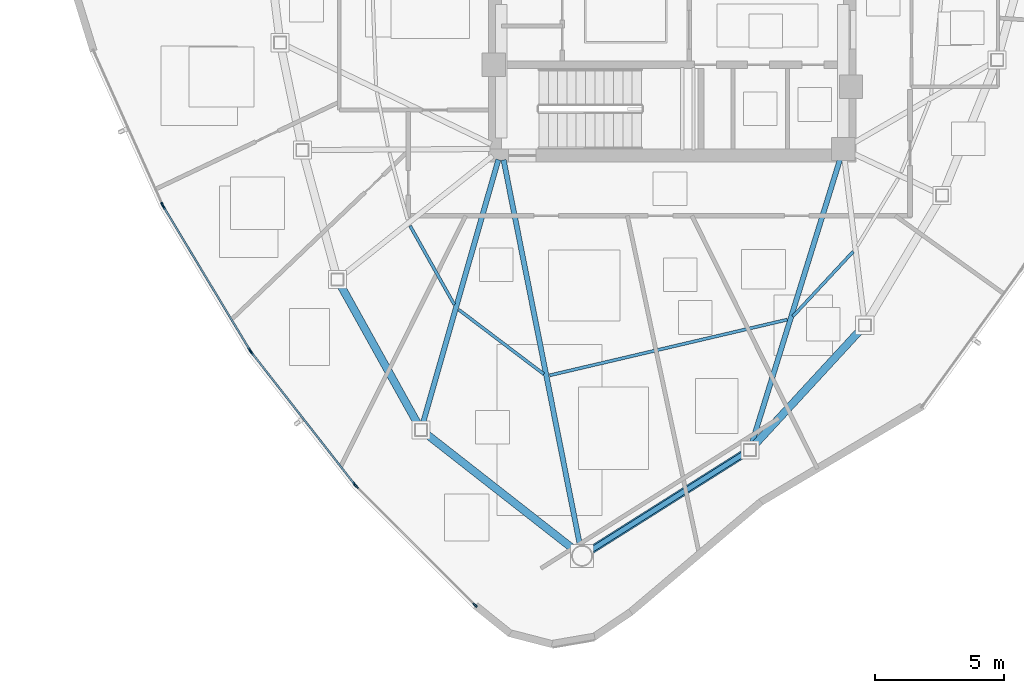
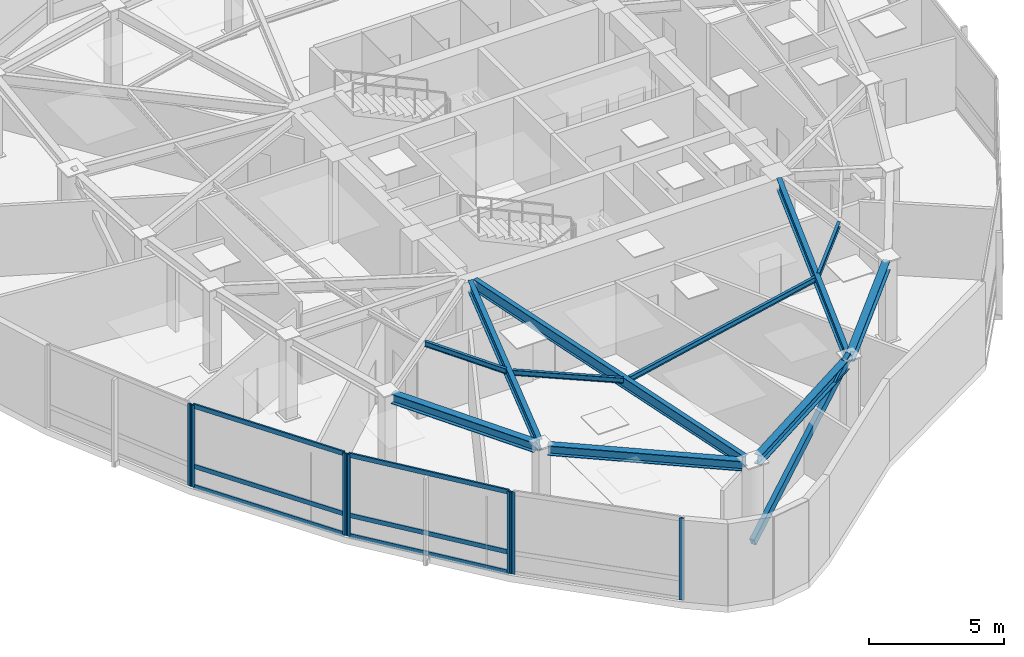
# One storey, part 2 of 12: 14 members, 11 beams, 4 elements without a shape of their own.
"""IFC4 building model written with IfcOpenShell, lengths in metres."""

from ifc_helpers import new_model, si_unit, direction, frame, origin, origin_2d, place, context, subcontext, project, spatial, hollow_rectangle, i_section, extrude, source, transform, mapped, material, layer, layer_set, material_profile, profile_set, type_object, type_shapes, element, aggregate, save


model = new_model("IFC4")

# Units and contexts
model_context = context("Model", 3, precision=1e-05, world=origin(), true_north=direction((0.0, 1.0)))
body_context = subcontext(model_context, "Body", "Model", "MODEL_VIEW")
ifc_project = project(units=[si_unit("LENGTHUNIT", "METRE"), si_unit("AREAUNIT", "SQUARE_METRE"), si_unit("VOLUMEUNIT", "CUBIC_METRE"), si_unit("PLANEANGLEUNIT", "RADIAN"), si_unit("MASSUNIT", "GRAM", prefix="KILO")], contexts=[model_context])

# Site, building, storey
site_placement = place(None, origin())
site = spatial("IfcSite", under=ifc_project, at=site_placement, CompositionType="ELEMENT")
building_placement = place(site_placement, origin())
building = spatial("IfcBuilding", under=site, at=building_placement, Name="Tavelor Broadcast Tower", CompositionType="ELEMENT")
storey_placement = place(building_placement, frame((0.0, 0.0, 285.5)))
storey = spatial("IfcBuildingStorey", under=building, at=storey_placement, Name="L68", CompositionType="ELEMENT", Elevation=285.5)

# Beams
ifc_material_1 = material(Name="Steel S355", Category="steel")
ifc_material_profile_1 = material_profile(ifc_material_1, i_section(OverallWidth=0.1201171875, OverallDepth=0.239990234375, WebThickness=0.006103515625, FlangeThickness=0.009765625, at=origin_2d()), Name="IPE 240")
ifc_profile_set_1 = profile_set([ifc_material_profile_1], Name="Steel S355")
beam_type_1 = type_object("IfcBeamType", Name="Composite Floor Joist T7 IPE 240", PredefinedType="JOIST", material=ifc_profile_set_1)
beam_1_placement = place(storey_placement, frame((39.873779296875, 35.830078125, 3.580078125), z_axis=(0.489567395479, -0.871965461061, 0.0), x_axis=(0.871965461061, 0.489567395479, 0.0)))
element("IfcBeam", 1, at=beam_1_placement, inside=storey, type_object=beam_type_1, Name="L68 Secondary Composite Floor Joist 05", PredefinedType="JOIST", context=body_context, shape_type="SweptSolid", body=[
    extrude(i_section(OverallWidth=0.1201171875, OverallDepth=0.239990234375, WebThickness=0.006103515625, FlangeThickness=0.009765625, at=origin_2d()), origin(), (0.0, 0.0, 1.0), 3.4921875),
])
beam_2_placement = place(storey_placement, frame((41.74951171875, 32.594482421875, 3.580078125), z_axis=(0.797312398186, -0.603566847747, 0.0), x_axis=(0.603566847747, 0.797312398186, 0.0)))
element("IfcBeam", 2, at=beam_2_placement, inside=storey, type_object=beam_type_1, Name="L68 Secondary Composite Floor Joist 06", PredefinedType="JOIST", context=body_context, shape_type="SweptSolid", body=[
    extrude(i_section(OverallWidth=0.1201171875, OverallDepth=0.239990234375, WebThickness=0.006103515625, FlangeThickness=0.009765625, at=origin_2d()), origin(), (0.0, 0.0, 1.0), 4.121826171875),
])
beam_3_placement = place(storey_placement, frame((45.264404296875, 30.058349609375, 3.580078125), z_axis=(0.973614241708, 0.228200149746, 0.0), x_axis=(-0.228200149746, 0.973614241708, 0.0)))
element("IfcBeam", 3, at=beam_3_placement, inside=storey, type_object=beam_type_1, Name="L68 Secondary Composite Floor Joist 07", PredefinedType="JOIST", context=body_context, shape_type="SweptSolid", body=[
    extrude(i_section(OverallWidth=0.1201171875, OverallDepth=0.239990234375, WebThickness=0.006103515625, FlangeThickness=0.009765625, at=origin_2d()), origin(), (0.0, 0.0, 1.0), 9.422119140625),
])
beam_4_placement = place(storey_placement, frame((54.651611328125, 32.332275390625, 3.580078125), z_axis=(0.681448823195, 0.731865767314, 0.0), x_axis=(-0.731865767314, 0.681448823195, 0.0)))
element("IfcBeam", 4, at=beam_4_placement, inside=storey, type_object=beam_type_1, Name="L68 Secondary Composite Floor Joist 08", PredefinedType="JOIST", context=body_context, shape_type="SweptSolid", body=[
    extrude(i_section(OverallWidth=0.1201171875, OverallDepth=0.239990234375, WebThickness=0.006103515625, FlangeThickness=0.009765625, at=origin_2d()), origin(), (0.0, 0.0, 1.0), 3.423583984375),
])
ifc_material_profile_2 = material_profile(ifc_material_1, i_section(OverallWidth=0.300048828125, OverallDepth=0.43994140625, WebThickness=0.011474609375, FlangeThickness=0.02099609375, at=origin_2d()), Name="HEA 450")
ifc_profile_set_2 = profile_set([ifc_material_profile_2], Name="Steel S355")
beam_type_2 = type_object("IfcBeamType", Name="Perimeter Spandrel Beam T7 HEA 450", PredefinedType="SPANDREL", material=ifc_profile_set_2)
beam_5_placement = place(storey_placement, frame((37.184814453125, 33.5498046875, 3.47998046875), z_axis=(0.485969141936, -0.873975968254, 0.0), x_axis=(0.873975968254, 0.485969141936, 0.0)))
element("IfcBeam", 5, at=beam_5_placement, inside=storey, type_object=beam_type_2, Name="L68 Framed-Tube Ring Spandrel 05", PredefinedType="SPANDREL", context=body_context, shape_type="SweptSolid", body=[
    extrude(i_section(OverallWidth=0.300048828125, OverallDepth=0.43994140625, WebThickness=0.011474609375, FlangeThickness=0.02099609375, at=origin_2d()), origin(), (0.0, 0.0, 1.0), 6.1630859375),
])
beam_6_placement = place(storey_placement, frame((40.485595703125, 27.8056640625, 3.47998046875), z_axis=(0.787521309141, -0.616287422919, 0.0), x_axis=(0.616287422919, 0.787521309141, 0.0)))
element("IfcBeam", 6, at=beam_6_placement, inside=storey, type_object=beam_type_2, Name="L68 Framed-Tube Ring Spandrel 06", PredefinedType="SPANDREL", context=body_context, shape_type="SweptSolid", body=[
    extrude(i_section(OverallWidth=0.300048828125, OverallDepth=0.43994140625, WebThickness=0.011474609375, FlangeThickness=0.02099609375, at=origin_2d()), origin(), (0.0, 0.0, 1.0), 7.265625),
])
beam_7_placement = place(storey_placement, frame((46.8447265625, 23.295654296875, 3.47998046875), z_axis=(0.845617600782, 0.53378916554, 0.0), x_axis=(-0.53378916554, 0.845617600782, 0.0)))
element("IfcBeam", 7, at=beam_7_placement, inside=storey, type_object=beam_type_2, Name="L68 Framed-Tube Ring Spandrel 07", PredefinedType="SPANDREL", context=body_context, shape_type="SweptSolid", body=[
    extrude(i_section(OverallWidth=0.300048828125, OverallDepth=0.43994140625, WebThickness=0.011474609375, FlangeThickness=0.02099609375, at=origin_2d()), origin(), (0.0, 0.0, 1.0), 7.03076171875),
])
beam_8_placement = place(storey_placement, frame((53.15576171875, 27.353271484375, 3.47998046875), z_axis=(0.677736891139, 0.735304499095, 0.0), x_axis=(-0.735304499095, 0.677736891139, 0.0)))
element("IfcBeam", 8, at=beam_8_placement, inside=storey, type_object=beam_type_2, Name="L68 Framed-Tube Ring Spandrel 08", PredefinedType="SPANDREL", context=body_context, shape_type="SweptSolid", body=[
    extrude(i_section(OverallWidth=0.300048828125, OverallDepth=0.43994140625, WebThickness=0.011474609375, FlangeThickness=0.02099609375, at=origin_2d()), origin(), (0.0, 0.0, 1.0), 6.06884765625),
])

# Member
ifc_material_profile_3 = material_profile(ifc_material_1, hollow_rectangle(XDim=0.199951171875, YDim=0.35009765625, WallThickness=0.01611328125, at=origin_2d()), Name="RHS 350x200x16")
ifc_profile_set_3 = profile_set([ifc_material_profile_3], Name="Steel S355")
member_type_1 = type_object("IfcMemberType", Name="Perimeter Tube Brace T7 RHS 350x200x16", PredefinedType="BRACE", material=ifc_profile_set_3)
member_1_placement = place(storey_placement, frame((46.5146484375, 23.08740234375, 0.0), z_axis=(0.761462376336, 0.480666847696, 0.434895885184), x_axis=(-0.533789146824, 0.845617612596, 0.0)))
element("IfcMember", 9, at=member_1_placement, inside=storey, type_object=member_type_1, Name="L68 Corner Tube Diagonal Brace 2", PredefinedType="BRACE", context=body_context, shape_type="SweptSolid", body=[
    extrude(hollow_rectangle(XDim=0.199951171875, YDim=0.35009765625, WallThickness=0.01611328125, at=origin_2d()), origin(), (0.0, 0.0, 1.0), 8.507568359375),
])

# Beams
ifc_material_profile_4 = material_profile(ifc_material_1, i_section(OverallWidth=0.199951171875, OverallDepth=0.5, WebThickness=0.01025390625, FlangeThickness=0.01611328125, at=origin_2d()), Name="IPE 500")
ifc_profile_set_4 = profile_set([ifc_material_profile_4], Name="Steel S355")
beam_type_3 = type_object("IfcBeamType", Name="Radial Floor Girder T7 IPE 500", PredefinedType="BEAM", material=ifc_profile_set_4)
beam_9_placement = place(storey_placement, frame((43.28125, 38.384765625, 3.449951171875), z_axis=(-0.275094925197, -0.961417069815, 0.0), x_axis=(0.961417069815, -0.275094925197, 0.0)))
element("IfcBeam", 10, at=beam_9_placement, inside=storey, type_object=beam_type_3, Name="L68 Radial Primary Floor Girder 06", PredefinedType="BEAM", context=body_context, shape_type="SweptSolid", body=[
    extrude(i_section(OverallWidth=0.199951171875, OverallDepth=0.5, WebThickness=0.01025390625, FlangeThickness=0.01611328125, at=origin_2d()), origin(), (0.0, 0.0, 1.0), 10.60986328125),
])
beam_10_placement = place(storey_placement, frame((43.48388671875, 38.376220703125, 3.449951171875), z_axis=(0.19444745334, -0.980912935938, 0.0), x_axis=(0.980912935938, 0.19444745334, 0.0)))
element("IfcBeam", 11, at=beam_10_placement, inside=storey, type_object=beam_type_3, Name="L68 Radial Primary Floor Girder 07", PredefinedType="BEAM", context=body_context, shape_type="SweptSolid", body=[
    extrude(i_section(OverallWidth=0.199951171875, OverallDepth=0.5, WebThickness=0.01025390625, FlangeThickness=0.01611328125, at=origin_2d()), origin(), (0.0, 0.0, 1.0), 15.196044921875),
])
beam_11_placement = place(storey_placement, frame((56.471923828125, 38.387451171875, 3.449951171875), z_axis=(-0.296373836186, -0.955072012585, 0.0), x_axis=(0.955072012585, -0.296373836186, 0.0)))
element("IfcBeam", 12, at=beam_11_placement, inside=storey, type_object=beam_type_3, Name="L68 Radial Primary Floor Girder 08", PredefinedType="BEAM", context=body_context, shape_type="SweptSolid", body=[
    extrude(i_section(OverallWidth=0.199951171875, OverallDepth=0.5, WebThickness=0.01025390625, FlangeThickness=0.01611328125, at=origin_2d()), origin(), (0.0, 0.0, 1.0), 11.498046875),
])

# Curtain wall, member
ifc_material_2 = material(Name="Architectural Anodized Aluminium", Category="aluminium")
ifc_layer = layer(ifc_material_2, 0.199951171875)
ifc_layer_set = layer_set([ifc_layer], Name="Architectural Anodized Aluminium")
curtain_wall_type = type_object("IfcCurtainWallType", Name="Tower High-Zone Triple-Glazed Curtain Wall CW04", PredefinedType="NOTDEFINED", material=ifc_layer_set)
curtain_wall_1_placement = place(storey_placement, origin())
curtain_wall_1 = element("IfcCurtainWall", 13, at=curtain_wall_1_placement, inside=storey, type_object=curtain_wall_type, Name="L68 Curtain Wall CW04 Run 745", PredefinedType="NOTDEFINED")
ifc_material_profile_5 = material_profile(ifc_material_2, hollow_rectangle(XDim=0.070068359375, YDim=0.199951171875, WallThickness=0.02197265625, at=origin_2d()), Name="RHS 70x200x22")
ifc_profile_set_5 = profile_set([ifc_material_profile_5], Name="Architectural Anodized Aluminium")
member_type_2 = type_object("IfcMemberType", Name="CW04 Extruded Aluminium Mullion 70x200", PredefinedType="MULLION", material=ifc_profile_set_5)
shared_shape_1 = source(origin(), body_context, "Body", "SweptSolid", [
    extrude(hollow_rectangle(XDim=0.070068359375, YDim=0.199951171875, WallThickness=0.02197265625, at=origin_2d()), origin(), (0.0, 0.0, 1.0), 3.699951171875),
])
type_shapes(member_type_2, [shared_shape_1])
member_2_placement = place(storey_placement, frame((30.31201171875, 36.645751953125, 0.0), z_axis=(0.0, 0.0, 1.0), x_axis=(0.912657036758, 0.40872623265, 0.0)))
member_2 = element("IfcMember", 14, at=member_2_placement, type_object=member_type_2, Name="CW04 mullion 2", PredefinedType="MULLION", context=body_context, shape_type="MappedRepresentation", body=[
    mapped(shared_shape_1, transform((0.0, 0.0, 0.0), scale=1.0)),
])
aggregate(curtain_wall_1, [member_2])

# Curtain wall, members
curtain_wall_2_placement = place(storey_placement, origin())
curtain_wall_2 = element("IfcCurtainWall", 15, at=curtain_wall_2_placement, inside=storey, type_object=curtain_wall_type, Name="L68 Curtain Wall CW04 Run 746", PredefinedType="NOTDEFINED")
member_3_placement = place(storey_placement, frame((30.358154296875, 36.55712890625, 0.0), z_axis=(0.0, 0.0, 1.0), x_axis=(0.8564826792, 0.516175764861, 0.0)))
member_3 = element("IfcMember", 16, at=member_3_placement, type_object=member_type_2, Name="CW04 mullion 1", PredefinedType="MULLION", context=body_context, shape_type="MappedRepresentation", body=[
    mapped(shared_shape_1, transform((0.0, 0.0, 0.0), scale=1.0)),
])
member_4_placement = place(storey_placement, frame((33.695068359375, 31.02001953125, 0.0), z_axis=(0.0, 0.0, 1.0), x_axis=(0.8564826792, 0.516175764861, 0.0)))
member_4 = element("IfcMember", 17, at=member_4_placement, type_object=member_type_2, Name="CW04 mullion 2", PredefinedType="MULLION", context=body_context, shape_type="MappedRepresentation", body=[
    mapped(shared_shape_1, transform((0.0, 0.0, 0.0), scale=1.0)),
])

curtain_wall_3_placement = place(storey_placement, origin())
curtain_wall_3 = element("IfcCurtainWall", 18, at=curtain_wall_3_placement, inside=storey, type_object=curtain_wall_type, Name="L68 Curtain Wall CW04 Run 747", PredefinedType="NOTDEFINED")
member_5_placement = place(storey_placement, frame((33.751708984375, 30.937744140625, 0.0), z_axis=(0.0, 0.0, 1.0), x_axis=(0.78773614973, 0.616012790784, 0.0)))
member_5 = element("IfcMember", 19, at=member_5_placement, type_object=member_type_2, Name="CW04 mullion 1", PredefinedType="MULLION", context=body_context, shape_type="MappedRepresentation", body=[
    mapped(shared_shape_1, transform((0.0, 0.0, 0.0), scale=1.0)),
])
member_6_placement = place(storey_placement, frame((37.734130859375, 25.844970703125, 0.0), z_axis=(0.0, 0.0, 1.0), x_axis=(0.78773614973, 0.616012790784, 0.0)))
member_6 = element("IfcMember", 20, at=member_6_placement, type_object=member_type_2, Name="CW04 mullion 2", PredefinedType="MULLION", context=body_context, shape_type="MappedRepresentation", body=[
    mapped(shared_shape_1, transform((0.0, 0.0, 0.0), scale=1.0)),
])

curtain_wall_4_placement = place(storey_placement, origin())
curtain_wall_4 = element("IfcCurtainWall", 21, at=curtain_wall_4_placement, inside=storey, type_object=curtain_wall_type, Name="L68 Curtain Wall CW04 Run 748", PredefinedType="NOTDEFINED")
member_7_placement = place(storey_placement, frame((37.80029296875, 25.770263671875, 0.0), z_axis=(0.0, 0.0, 1.0), x_axis=(0.707389124806, 0.706824324784, 0.0)))
member_7 = element("IfcMember", 22, at=member_7_placement, type_object=member_type_2, Name="CW04 mullion 1", PredefinedType="MULLION", context=body_context, shape_type="MappedRepresentation", body=[
    mapped(shared_shape_1, transform((0.0, 0.0, 0.0), scale=1.0)),
])
member_8_placement = place(storey_placement, frame((42.38134765625, 21.185546875, 0.0), z_axis=(0.0, 0.0, 1.0), x_axis=(0.707389124806, 0.706824324784, 0.0)))
member_8 = element("IfcMember", 23, at=member_8_placement, type_object=member_type_2, Name="CW04 mullion 2", PredefinedType="MULLION", context=body_context, shape_type="MappedRepresentation", body=[
    mapped(shared_shape_1, transform((0.0, 0.0, 0.0), scale=1.0)),
])
aggregate(curtain_wall_4, [member_7, member_8])

# Member
ifc_material_profile_6 = material_profile(ifc_material_2, hollow_rectangle(XDim=0.070068359375, YDim=0.199951171875, WallThickness=0.02197265625, at=origin_2d()), Name="RHS 70x200x22")
ifc_profile_set_6 = profile_set([ifc_material_profile_6], Name="Architectural Anodized Aluminium")
member_type_3 = type_object("IfcMemberType", Name="CW04 Extruded Aluminium Transom 70x200", PredefinedType="USERDEFINED", material=ifc_profile_set_6)
shared_shape_2 = source(origin(), body_context, "Body", "SweptSolid", [
    extrude(hollow_rectangle(XDim=0.070068359375, YDim=0.199951171875, WallThickness=0.02197265625, at=origin_2d()), origin(), (0.0, 0.0, 1.0), 6.394775390625),
])
member_9_placement = place(storey_placement, frame((30.376220703125, 36.527099609375, 0.034912109375), z_axis=(0.516167875054, -0.856487434095, 0.0), x_axis=(0.856487434095, 0.516167875054, 0.0)))
member_9 = element("IfcMember", 24, at=member_9_placement, type_object=member_type_3, Name="CW04 transom 1.1", ObjectType="TRANSOM", PredefinedType="USERDEFINED", context=body_context, shape_type="MappedRepresentation", body=[
    mapped(shared_shape_2, transform((0.0, 0.0, 0.0), scale=1.0)),
])

member_10_placement = place(storey_placement, frame((30.376220703125, 36.527099609375, 0.949951171875), z_axis=(0.516167875054, -0.856487434095, 0.0), x_axis=(0.856487434095, 0.516167875054, 0.0)))
member_10 = element("IfcMember", 25, at=member_10_placement, type_object=member_type_3, Name="CW04 transom 1.2", ObjectType="TRANSOM", PredefinedType="USERDEFINED", context=body_context, shape_type="MappedRepresentation", body=[
    mapped(shared_shape_2, transform((0.0, 0.0, 0.0), scale=1.0)),
])

member_11_placement = place(storey_placement, frame((30.376220703125, 36.527099609375, 3.6650390625), z_axis=(0.516167875054, -0.856487434095, 0.0), x_axis=(0.856487434095, 0.516167875054, 0.0)))
member_11 = element("IfcMember", 26, at=member_11_placement, type_object=member_type_3, Name="CW04 transom 1.3", ObjectType="TRANSOM", PredefinedType="USERDEFINED", context=body_context, shape_type="MappedRepresentation", body=[
    mapped(shared_shape_2, transform((0.0, 0.0, 0.0), scale=1.0)),
])

aggregate(curtain_wall_2, [member_3, member_4, member_9, member_10, member_11])

shared_shape_3 = source(origin(), body_context, "Body", "SweptSolid", [
    extrude(hollow_rectangle(XDim=0.070068359375, YDim=0.199951171875, WallThickness=0.02197265625, at=origin_2d()), origin(), (0.0, 0.0, 1.0), 6.39501953125),
])
type_shapes(member_type_3, [shared_shape_2, shared_shape_3])
member_12_placement = place(storey_placement, frame((33.7734375, 30.91015625, 0.034912109375), z_axis=(0.615992185596, -0.787752262634, 0.0), x_axis=(0.787752262634, 0.615992185596, 0.0)))
member_12 = element("IfcMember", 27, at=member_12_placement, type_object=member_type_3, Name="CW04 transom 1.1", ObjectType="TRANSOM", PredefinedType="USERDEFINED", context=body_context, shape_type="MappedRepresentation", body=[
    mapped(shared_shape_3, transform((0.0, 0.0, 0.0), scale=1.0)),
])

member_13_placement = place(storey_placement, frame((33.7734375, 30.91015625, 0.949951171875), z_axis=(0.615992185596, -0.787752262634, 0.0), x_axis=(0.787752262634, 0.615992185596, 0.0)))
member_13 = element("IfcMember", 28, at=member_13_placement, type_object=member_type_3, Name="CW04 transom 1.2", ObjectType="TRANSOM", PredefinedType="USERDEFINED", context=body_context, shape_type="MappedRepresentation", body=[
    mapped(shared_shape_3, transform((0.0, 0.0, 0.0), scale=1.0)),
])

member_14_placement = place(storey_placement, frame((33.7734375, 30.91015625, 3.6650390625), z_axis=(0.615992185596, -0.787752262634, 0.0), x_axis=(0.787752262634, 0.615992185596, 0.0)))
member_14 = element("IfcMember", 29, at=member_14_placement, type_object=member_type_3, Name="CW04 transom 1.3", ObjectType="TRANSOM", PredefinedType="USERDEFINED", context=body_context, shape_type="MappedRepresentation", body=[
    mapped(shared_shape_3, transform((0.0, 0.0, 0.0), scale=1.0)),
])

aggregate(curtain_wall_3, [member_5, member_6, member_12, member_13, member_14])

save(model, "model.ifc")
